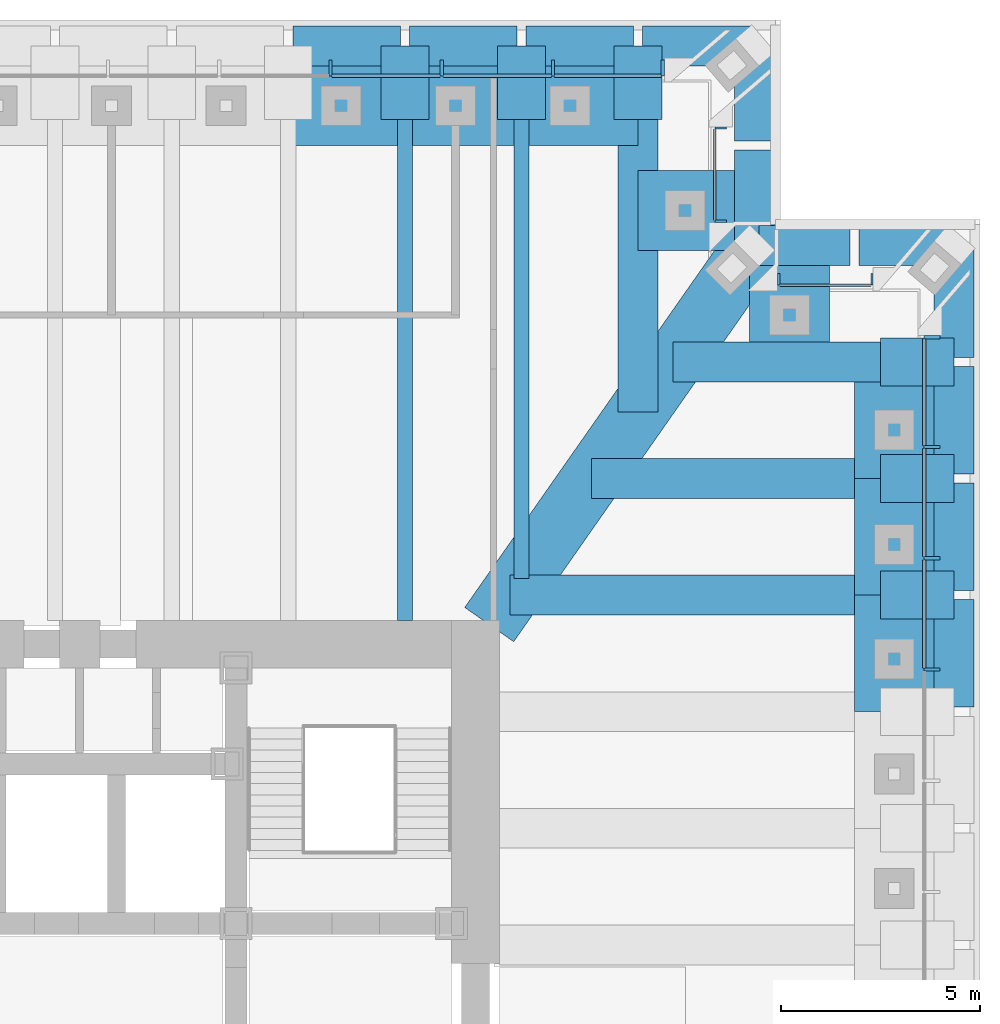
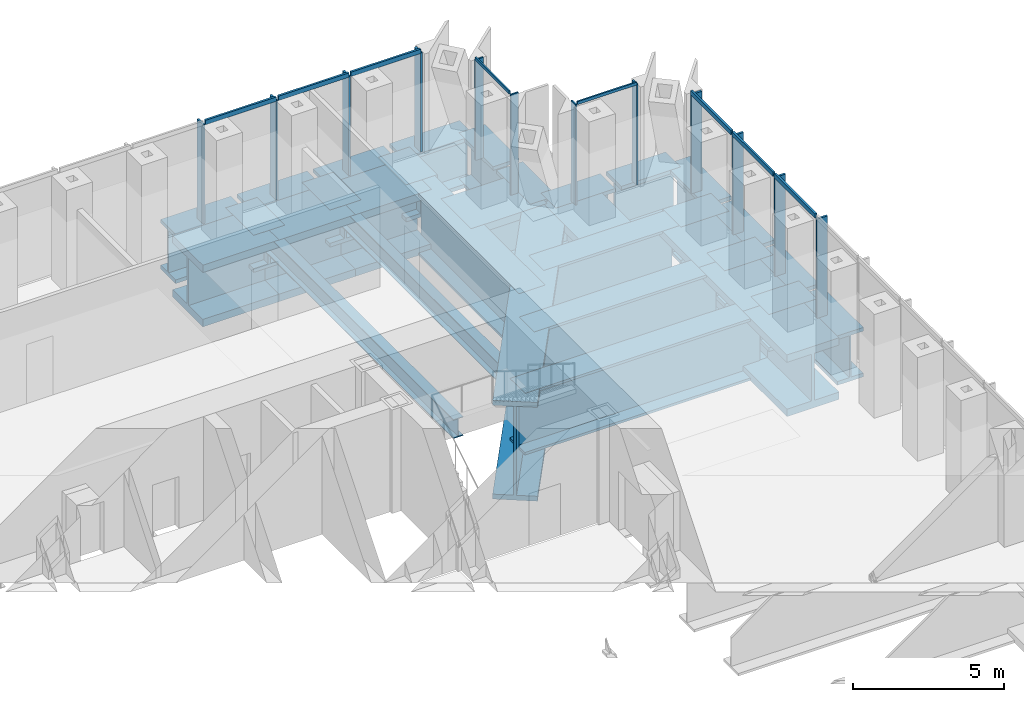
# One storey, part 6 of 13: 33 beams, 20 members, 4 elements without a shape of their own.
"""IFC4 building model written with IfcOpenShell, lengths in metres."""

from ifc_helpers import new_model, si_unit, direction, frame, origin, origin_2d, place, context, subcontext, project, spatial, rectangle, i_section, extrude, material, material_profile, profile_set, type_object, element, aggregate, save


model = new_model("IFC4")

# Units and contexts
model_context = context("Model", 3, precision=1e-05, world=origin(), true_north=direction((0.0, 1.0)))
body_context = subcontext(model_context, "Body", "Model", "MODEL_VIEW")
ifc_project = project(units=[si_unit("LENGTHUNIT", "METRE"), si_unit("AREAUNIT", "SQUARE_METRE"), si_unit("VOLUMEUNIT", "CUBIC_METRE"), si_unit("PLANEANGLEUNIT", "RADIAN"), si_unit("MASSUNIT", "GRAM", prefix="KILO")], contexts=[model_context])

# Site, building, storey
site_placement = place(None, origin())
site = spatial("IfcSite", under=ifc_project, at=site_placement, CompositionType="ELEMENT")
building_placement = place(site_placement, origin())
building = spatial("IfcBuilding", under=site, at=building_placement, Name="Daluyong Arena Tower", CompositionType="ELEMENT")
storey_placement = place(building_placement, frame((0.0, 0.0, 108.10009765625)))
storey = spatial("IfcBuildingStorey", under=building, at=storey_placement, Name="L23", CompositionType="ELEMENT", Elevation=108.10009765625)

# Curtain wall, members
ifc_material_1 = material(Name="Bronze anodised aluminium and glass", Category="aluminium")
curtain_wall_type_1 = type_object("IfcCurtainWallType", Name="Curtain wall CW2", PredefinedType="USERDEFINED", material=ifc_material_1)
curtain_wall_1_placement = place(storey_placement, origin())
curtain_wall_1 = element("IfcCurtainWall", 1, at=curtain_wall_1_placement, inside=storey, type_object=curtain_wall_type_1, Name="curtain wall L23 E", ObjectType="UNITISED CURTAIN WALL", PredefinedType="USERDEFINED")
ifc_material_2 = material(Name="Bronze anodised aluminium fin", Category="aluminium")
ifc_material_profile_1 = material_profile(ifc_material_2, rectangle(XDim=0.39990234375, YDim=0.080078125, at=origin_2d()))
ifc_profile_set_1 = profile_set([ifc_material_profile_1], Name="Bronze anodised aluminium fin")
member_type_1 = type_object("IfcMemberType", Name="CW2 bronze fin 400x80", PredefinedType="MULLION", material=ifc_profile_set_1)
member_1_placement = place(storey_placement, frame((79.449951171875, 88.3671875, 0.0), z_axis=(0.0, 0.0, 1.0), x_axis=(-1.0, 0.0, 0.0)))
member_1 = element("IfcMember", 2, at=member_1_placement, type_object=member_type_1, Name="curtain wall L23 E fin 10", PredefinedType="MULLION", context=body_context, shape_type="SweptSolid", body=[
    extrude(rectangle(XDim=0.39990234375, YDim=0.080078125, at=origin_2d()), origin(), (0.0, 0.0, 1.0), 4.02001953125),
])
member_2_placement = place(storey_placement, frame((79.449951171875, 91.15625, 0.0), z_axis=(0.0, 0.0, 1.0), x_axis=(-1.0, 0.0, 0.0)))
member_2 = element("IfcMember", 3, at=member_2_placement, type_object=member_type_1, Name="curtain wall L23 E fin 11", PredefinedType="MULLION", context=body_context, shape_type="SweptSolid", body=[
    extrude(rectangle(XDim=0.39990234375, YDim=0.080078125, at=origin_2d()), origin(), (0.0, 0.0, 1.0), 4.02001953125),
])
member_3_placement = place(storey_placement, frame((79.449951171875, 93.9453125, 0.0), z_axis=(0.0, 0.0, 1.0), x_axis=(-1.0, 0.0, 0.0)))
member_3 = element("IfcMember", 4, at=member_3_placement, type_object=member_type_1, Name="curtain wall L23 E fin 12", PredefinedType="MULLION", context=body_context, shape_type="SweptSolid", body=[
    extrude(rectangle(XDim=0.39990234375, YDim=0.080078125, at=origin_2d()), origin(), (0.0, 0.0, 1.0), 4.02001953125),
])
member_4_placement = place(storey_placement, frame((79.449951171875, 96.694580078125, 0.0), z_axis=(0.0, 0.0, 1.0), x_axis=(-1.0, 0.0, 0.0)))
member_4 = element("IfcMember", 5, at=member_4_placement, type_object=member_type_1, Name="curtain wall L23 E fin 13", PredefinedType="MULLION", context=body_context, shape_type="SweptSolid", body=[
    extrude(rectangle(XDim=0.39990234375, YDim=0.080078125, at=origin_2d()), origin(), (0.0, 0.0, 1.0), 4.02001953125),
])

curtain_wall_2_placement = place(storey_placement, origin())
curtain_wall_2 = element("IfcCurtainWall", 6, at=curtain_wall_2_placement, inside=storey, type_object=curtain_wall_type_1, Name="curtain wall L23 N", ObjectType="UNITISED CURTAIN WALL", PredefinedType="USERDEFINED")
member_5_placement = place(storey_placement, frame((72.694580078125, 103.449951171875, 0.0), z_axis=(0.0, 0.0, 1.0), x_axis=(0.0, -1.0, 0.0)))
member_5 = element("IfcMember", 7, at=member_5_placement, type_object=member_type_1, Name="curtain wall L23 N fin 1", PredefinedType="MULLION", context=body_context, shape_type="SweptSolid", body=[
    extrude(rectangle(XDim=0.39990234375, YDim=0.080078125, at=origin_2d()), origin(), (0.0, 0.0, 1.0), 4.02001953125),
])
member_6_placement = place(storey_placement, frame((69.9453125, 103.449951171875, 0.0), z_axis=(0.0, 0.0, 1.0), x_axis=(0.0, -1.0, 0.0)))
member_6 = element("IfcMember", 8, at=member_6_placement, type_object=member_type_1, Name="curtain wall L23 N fin 2", PredefinedType="MULLION", context=body_context, shape_type="SweptSolid", body=[
    extrude(rectangle(XDim=0.39990234375, YDim=0.080078125, at=origin_2d()), origin(), (0.0, 0.0, 1.0), 4.02001953125),
])
member_7_placement = place(storey_placement, frame((67.15625, 103.449951171875, 0.0), z_axis=(0.0, 0.0, 1.0), x_axis=(0.0, -1.0, 0.0)))
member_7 = element("IfcMember", 9, at=member_7_placement, type_object=member_type_1, Name="curtain wall L23 N fin 3", PredefinedType="MULLION", context=body_context, shape_type="SweptSolid", body=[
    extrude(rectangle(XDim=0.39990234375, YDim=0.080078125, at=origin_2d()), origin(), (0.0, 0.0, 1.0), 4.02001953125),
])
member_8_placement = place(storey_placement, frame((64.3671875, 103.449951171875, 0.0), z_axis=(0.0, 0.0, 1.0), x_axis=(0.0, -1.0, 0.0)))
member_8 = element("IfcMember", 10, at=member_8_placement, type_object=member_type_1, Name="curtain wall L23 N fin 4", PredefinedType="MULLION", context=body_context, shape_type="SweptSolid", body=[
    extrude(rectangle(XDim=0.39990234375, YDim=0.080078125, at=origin_2d()), origin(), (0.0, 0.0, 1.0), 4.02001953125),
])

# Member
ifc_material_3 = material(Name="Bronze anodised aluminium", Category="aluminium")
ifc_material_profile_2 = material_profile(ifc_material_3, rectangle(XDim=0.080078125, YDim=0.179931640625, at=origin_2d()))
ifc_profile_set_2 = profile_set([ifc_material_profile_2], Name="Bronze anodised aluminium")
member_type_2 = type_object("IfcMemberType", Name="CW2 stack transom 180x80", PredefinedType="USERDEFINED", material=ifc_profile_set_2)
member_9_placement = place(storey_placement, frame((79.25, 88.4072265625, 4.10986328125), z_axis=(0.0, 1.0, 0.0), x_axis=(-1.0, 0.0, 0.0)))
member_9 = element("IfcMember", 11, at=member_9_placement, type_object=member_type_2, Name="curtain wall L23 E transom 10", ObjectType="TRANSOM", PredefinedType="USERDEFINED", context=body_context, shape_type="SweptSolid", body=[
    extrude(rectangle(XDim=0.080078125, YDim=0.179931640625, at=origin_2d()), origin(), (0.0, 0.0, 1.0), 2.709228515625),
])

member_10_placement = place(storey_placement, frame((79.25, 91.1962890625, 4.10986328125), z_axis=(0.0, 1.0, 0.0), x_axis=(-1.0, 0.0, 0.0)))
member_10 = element("IfcMember", 12, at=member_10_placement, type_object=member_type_2, Name="curtain wall L23 E transom 11", ObjectType="TRANSOM", PredefinedType="USERDEFINED", context=body_context, shape_type="SweptSolid", body=[
    extrude(rectangle(XDim=0.080078125, YDim=0.179931640625, at=origin_2d()), origin(), (0.0, 0.0, 1.0), 2.709228515625),
])

member_11_placement = place(storey_placement, frame((79.25, 93.9853515625, 4.10986328125), z_axis=(0.0, 1.0, 0.0), x_axis=(-1.0, 0.0, 0.0)))
member_11 = element("IfcMember", 13, at=member_11_placement, type_object=member_type_2, Name="curtain wall L23 E transom 12", ObjectType="TRANSOM", PredefinedType="USERDEFINED", context=body_context, shape_type="SweptSolid", body=[
    extrude(rectangle(XDim=0.080078125, YDim=0.179931640625, at=origin_2d()), origin(), (0.0, 0.0, 1.0), 2.669189453125),
])

aggregate(curtain_wall_1, [member_1, member_2, member_3, member_4, member_9, member_10, member_11])

member_12_placement = place(storey_placement, frame((72.654541015625, 103.25, 4.10986328125), z_axis=(-1.0, 0.0, 0.0), x_axis=(0.0, -1.0, 0.0)))
member_12 = element("IfcMember", 14, at=member_12_placement, type_object=member_type_2, Name="curtain wall L23 N transom 1", ObjectType="TRANSOM", PredefinedType="USERDEFINED", context=body_context, shape_type="SweptSolid", body=[
    extrude(rectangle(XDim=0.080078125, YDim=0.179931640625, at=origin_2d()), origin(), (0.0, 0.0, 1.0), 2.669189453125),
])

member_13_placement = place(storey_placement, frame((69.905517578125, 103.25, 4.10986328125), z_axis=(-1.0, 0.0, 0.0), x_axis=(0.0, -1.0, 0.0)))
member_13 = element("IfcMember", 15, at=member_13_placement, type_object=member_type_2, Name="curtain wall L23 N transom 2", ObjectType="TRANSOM", PredefinedType="USERDEFINED", context=body_context, shape_type="SweptSolid", body=[
    extrude(rectangle(XDim=0.080078125, YDim=0.179931640625, at=origin_2d()), origin(), (0.0, 0.0, 1.0), 2.709228515625),
])

member_14_placement = place(storey_placement, frame((67.116455078125, 103.25, 4.10986328125), z_axis=(-1.0, 0.0, 0.0), x_axis=(0.0, -1.0, 0.0)))
member_14 = element("IfcMember", 16, at=member_14_placement, type_object=member_type_2, Name="curtain wall L23 N transom 3", ObjectType="TRANSOM", PredefinedType="USERDEFINED", context=body_context, shape_type="SweptSolid", body=[
    extrude(rectangle(XDim=0.080078125, YDim=0.179931640625, at=origin_2d()), origin(), (0.0, 0.0, 1.0), 2.709228515625),
])

aggregate(curtain_wall_2, [member_5, member_6, member_7, member_8, member_12, member_13, member_14])

# Curtain wall, members
ifc_material_4 = material(Name="Bronze anodised aluminium and glass", Category="aluminium")
curtain_wall_type_2 = type_object("IfcCurtainWallType", Name="Curtain wall CW7", PredefinedType="USERDEFINED", material=ifc_material_4)
curtain_wall_3_placement = place(storey_placement, origin())
curtain_wall_3 = element("IfcCurtainWall", 17, at=curtain_wall_3_placement, inside=storey, type_object=curtain_wall_type_2, Name="curtain wall L23 NE-N", ObjectType="UNITISED CURTAIN WALL", PredefinedType="USERDEFINED")
ifc_material_5 = material(Name="Bronze anodised aluminium fin", Category="aluminium")
ifc_material_profile_3 = material_profile(ifc_material_5, rectangle(XDim=0.300048828125, YDim=0.06005859375, at=origin_2d()))
ifc_profile_set_3 = profile_set([ifc_material_profile_3], Name="Bronze anodised aluminium fin")
member_type_3 = type_object("IfcMemberType", Name="CW7 bronze fin 300x60", PredefinedType="MULLION", material=ifc_profile_set_3)
member_15_placement = place(storey_placement, frame((77.94091796875, 98.14990234375, 0.0), z_axis=(0.0, 0.0, 1.0), x_axis=(0.0, -1.0, 0.0)))
member_15 = element("IfcMember", 18, at=member_15_placement, type_object=member_type_3, Name="curtain wall L23 NE-N fin 1", PredefinedType="MULLION", context=body_context, shape_type="SweptSolid", body=[
    extrude(rectangle(XDim=0.300048828125, YDim=0.06005859375, at=origin_2d()), origin(), (0.0, 0.0, 1.0), 4.079833984375),
])
member_16_placement = place(storey_placement, frame((75.60205078125, 98.14990234375, 0.0), z_axis=(0.0, 0.0, 1.0), x_axis=(0.0, -1.0, 0.0)))
member_16 = element("IfcMember", 19, at=member_16_placement, type_object=member_type_3, Name="curtain wall L23 NE-N fin 2", PredefinedType="MULLION", context=body_context, shape_type="SweptSolid", body=[
    extrude(rectangle(XDim=0.300048828125, YDim=0.06005859375, at=origin_2d()), origin(), (0.0, 0.0, 1.0), 4.079833984375),
])

curtain_wall_4_placement = place(storey_placement, origin())
curtain_wall_4 = element("IfcCurtainWall", 20, at=curtain_wall_4_placement, inside=storey, type_object=curtain_wall_type_2, Name="curtain wall L23 NE-E", ObjectType="UNITISED CURTAIN WALL", PredefinedType="USERDEFINED")
member_17_placement = place(storey_placement, frame((74.14990234375, 99.60205078125, 0.0), z_axis=(0.0, 0.0, 1.0), x_axis=(-1.0, 0.0, 0.0)))
member_17 = element("IfcMember", 21, at=member_17_placement, type_object=member_type_3, Name="curtain wall L23 NE-E fin 1", PredefinedType="MULLION", context=body_context, shape_type="SweptSolid", body=[
    extrude(rectangle(XDim=0.300048828125, YDim=0.06005859375, at=origin_2d()), origin(), (0.0, 0.0, 1.0), 4.079833984375),
])
member_18_placement = place(storey_placement, frame((74.14990234375, 101.94091796875, 0.0), z_axis=(0.0, 0.0, 1.0), x_axis=(-1.0, 0.0, 0.0)))
member_18 = element("IfcMember", 22, at=member_18_placement, type_object=member_type_3, Name="curtain wall L23 NE-E fin 2", PredefinedType="MULLION", context=body_context, shape_type="SweptSolid", body=[
    extrude(rectangle(XDim=0.300048828125, YDim=0.06005859375, at=origin_2d()), origin(), (0.0, 0.0, 1.0), 4.079833984375),
])

# Member
ifc_material_6 = material(Name="Bronze anodised aluminium", Category="aluminium")
ifc_material_profile_4 = material_profile(ifc_material_6, rectangle(XDim=0.06005859375, YDim=0.1201171875, at=origin_2d()))
ifc_profile_set_4 = profile_set([ifc_material_profile_4], Name="Bronze anodised aluminium")
member_type_4 = type_object("IfcMemberType", Name="CW7 stack transom 120x60", PredefinedType="USERDEFINED", material=ifc_profile_set_4)
member_19_placement = place(storey_placement, frame((77.910888671875, 98.0, 4.139892578125), z_axis=(-1.0, 0.0, 0.0), x_axis=(0.0, -1.0, 0.0)))
member_19 = element("IfcMember", 23, at=member_19_placement, type_object=member_type_4, Name="curtain wall L23 NE-N transom 1", ObjectType="TRANSOM", PredefinedType="USERDEFINED", context=body_context, shape_type="SweptSolid", body=[
    extrude(rectangle(XDim=0.06005859375, YDim=0.1201171875, at=origin_2d()), origin(), (0.0, 0.0, 1.0), 2.27880859375),
])

aggregate(curtain_wall_3, [member_15, member_16, member_19])

member_20_placement = place(storey_placement, frame((74.0, 99.632080078125, 4.139892578125), z_axis=(0.0, 1.0, 0.0), x_axis=(-1.0, 0.0, 0.0)))
member_20 = element("IfcMember", 24, at=member_20_placement, type_object=member_type_4, Name="curtain wall L23 NE-E transom 1", ObjectType="TRANSOM", PredefinedType="USERDEFINED", context=body_context, shape_type="SweptSolid", body=[
    extrude(rectangle(XDim=0.06005859375, YDim=0.1201171875, at=origin_2d()), origin(), (0.0, 0.0, 1.0), 2.27880859375),
])

aggregate(curtain_wall_4, [member_17, member_18, member_20])

# Beams
ifc_material_7 = material(Name="Steel ASTM A572 Grade 50", Category="steel")
ifc_material_profile_5 = material_profile(ifc_material_7, i_section(OverallWidth=1.0, OverallDepth=2.5, WebThickness=0.05, FlangeThickness=0.1, at=origin_2d()))
ifc_profile_set_5 = profile_set([ifc_material_profile_5], Name="Steel ASTM A572 Grade 50")
beam_type_1 = type_object("IfcBeamType", Name="Floor beam PG2500X1000", PredefinedType="BEAM", material=ifc_profile_set_5)
beam_1_placement = place(storey_placement, frame((78.14990234375, 90.230712890625, -1.5), z_axis=(-1.0, 0.0, 0.0), x_axis=(0.0, -1.0, 0.0)))
element("IfcBeam", 25, at=beam_1_placement, inside=storey, type_object=beam_type_1, Name="floor beam FB6", PredefinedType="BEAM", context=body_context, shape_type="SweptSolid", body=[
    extrude(i_section(OverallWidth=1.0, OverallDepth=2.5, WebThickness=0.05, FlangeThickness=0.1, at=origin_2d()), origin(), (0.0, 0.0, 1.0), 9.288330078125),
])
beam_2_placement = place(storey_placement, frame((78.14990234375, 93.15380859375, -1.5), z_axis=(-1.0, 0.0, 0.0), x_axis=(0.0, -1.0, 0.0)))
element("IfcBeam", 26, at=beam_2_placement, inside=storey, type_object=beam_type_1, Name="floor beam FB6", PredefinedType="BEAM", context=body_context, shape_type="SweptSolid", body=[
    extrude(i_section(OverallWidth=1.0, OverallDepth=2.5, WebThickness=0.05, FlangeThickness=0.1, at=origin_2d()), origin(), (0.0, 0.0, 1.0), 7.2421875),
])
beam_3_placement = place(storey_placement, frame((78.14990234375, 96.076904296875, -1.5), z_axis=(-1.0, 0.0, 0.0), x_axis=(0.0, -1.0, 0.0)))
element("IfcBeam", 27, at=beam_3_placement, inside=storey, type_object=beam_type_1, Name="floor beam FB6", PredefinedType="BEAM", context=body_context, shape_type="SweptSolid", body=[
    extrude(i_section(OverallWidth=1.0, OverallDepth=2.5, WebThickness=0.05, FlangeThickness=0.1, at=origin_2d()), origin(), (0.0, 0.0, 1.0), 5.196044921875),
])
beam_4_placement = place(storey_placement, frame((72.076904296875, 102.14990234375, -1.5), z_axis=(0.0, -1.0, 0.0), x_axis=(1.0, 0.0, 0.0)))
element("IfcBeam", 28, at=beam_4_placement, inside=storey, type_object=beam_type_1, Name="floor beam FB6", PredefinedType="BEAM", context=body_context, shape_type="SweptSolid", body=[
    extrude(i_section(OverallWidth=1.0, OverallDepth=2.5, WebThickness=0.05, FlangeThickness=0.1, at=origin_2d()), origin(), (0.0, 0.0, 1.0), 7.32568359375),
])
ifc_material_8 = material(Name="Steel ASTM A992 Grade 50", Category="steel")
ifc_material_profile_6 = material_profile(ifc_material_8, i_section(OverallWidth=0.381103515625, OverallDepth=0.772216796875, WebThickness=0.0166015625, FlangeThickness=0.027099609375, at=origin_2d()))
ifc_profile_set_6 = profile_set([ifc_material_profile_6], Name="Steel ASTM A992 Grade 50")
beam_type_2 = type_object("IfcBeamType", Name="Floor beam W30X173", PredefinedType="BEAM", material=ifc_profile_set_6)
beam_5_placement = place(storey_placement, frame((69.15380859375, 102.14990234375, -0.63623046875), z_axis=(0.0, -1.0, 0.0), x_axis=(1.0, 0.0, 0.0)))
element("IfcBeam", 29, at=beam_5_placement, inside=storey, type_object=beam_type_2, Name="floor beam FB2", PredefinedType="BEAM", context=body_context, shape_type="SweptSolid", body=[
    extrude(i_section(OverallWidth=0.381103515625, OverallDepth=0.772216796875, WebThickness=0.0166015625, FlangeThickness=0.027099609375, at=origin_2d()), origin(), (0.0, 0.0, 1.0), 11.50146484375),
])
beam_6_placement = place(storey_placement, frame((66.230712890625, 102.14990234375, -0.63623046875), z_axis=(0.0, -1.0, 0.0), x_axis=(1.0, 0.0, 0.0)))
element("IfcBeam", 30, at=beam_6_placement, inside=storey, type_object=beam_type_2, Name="floor beam FB2", PredefinedType="BEAM", context=body_context, shape_type="SweptSolid", body=[
    extrude(i_section(OverallWidth=0.381103515625, OverallDepth=0.772216796875, WebThickness=0.0166015625, FlangeThickness=0.027099609375, at=origin_2d()), origin(), (0.0, 0.0, 1.0), 12.5498046875),
])
ifc_material_9 = material(Name="Steel ASTM A588 Grade 50", Category="steel")
ifc_material_profile_7 = material_profile(ifc_material_9, i_section(OverallWidth=1.0, OverallDepth=2.0, WebThickness=0.06, FlangeThickness=0.15, at=origin_2d()))
ifc_profile_set_7 = profile_set([ifc_material_profile_7], Name="Steel ASTM A588 Grade 50")
beam_type_3 = type_object("IfcBeamType", Name="Spandrel Z1 PG2000X1000", PredefinedType="SPANDREL", material=ifc_profile_set_7)
for number, where, z_axis, x_axis, name in (
    (31, (80.0, 87.422607421875, -1.25), (0.0, 1.0, 0.0), (-1.0, 0.0, 0.0), "spandrel z1 SB2"),
    (32, (80.0, 90.345703125, -1.25), (0.0, 1.0, 0.0), (-1.0, 0.0, 0.0), "spandrel z1 SB2"),
    (33, (80.0, 93.268798828125, -1.25), (0.0, 1.0, 0.0), (-1.0, 0.0, 0.0), "spandrel z1 SB2"),
    (34, (80.0, 96.19189453125, -1.25), (0.0, 1.0, 0.0), (-1.0, 0.0, 0.0), "spandrel z1 SB2"),
):
    element("IfcBeam", number, at=place(storey_placement, frame(where, z_axis=z_axis, x_axis=x_axis)), inside=storey, type_object=beam_type_3, Name=name, PredefinedType="SPANDREL", context=body_context, shape_type="SweptSolid", body=[
        extrude(i_section(OverallWidth=1.0, OverallDepth=2.0, WebThickness=0.06, FlangeThickness=0.15, at=origin_2d()), origin(), (0.0, 0.0, 1.0), 2.693115234375),
    ])
for number, where, z_axis, x_axis, name in (
    (35, (79.885009765625, 99.0, -1.25), (-1.0, 0.0, 0.0), (0.0, -1.0, 0.0), "spandrel z1 SB2"),
    (36, (77.385009765625, 99.0, -1.25), (-1.0, 0.0, 0.0), (0.0, -1.0, 0.0), "spandrel z1 SB2"),
    (37, (75.0, 99.114990234375, -1.25), (0.0, 1.0, 0.0), (-1.0, 0.0, 0.0), "spandrel z1 SB2"),
    (38, (75.0, 101.614990234375, -1.25), (0.0, 1.0, 0.0), (-1.0, 0.0, 0.0), "spandrel z1 SB2"),
):
    element("IfcBeam", number, at=place(storey_placement, frame(where, z_axis=z_axis, x_axis=x_axis)), inside=storey, type_object=beam_type_3, Name=name, PredefinedType="SPANDREL", context=body_context, shape_type="SweptSolid", body=[
        extrude(i_section(OverallWidth=1.0, OverallDepth=2.0, WebThickness=0.06, FlangeThickness=0.15, at=origin_2d()), origin(), (0.0, 0.0, 1.0), 2.27001953125),
    ])
for number, where, z_axis, x_axis, name in (
    (39, (74.885009765625, 104.0, -1.25), (-1.0, 0.0, 0.0), (0.0, -1.0, 0.0), "spandrel z1 SB2"),
    (40, (71.9619140625, 104.0, -1.25), (-1.0, 0.0, 0.0), (0.0, -1.0, 0.0), "spandrel z1 SB2"),
    (41, (69.038818359375, 104.0, -1.25), (-1.0, 0.0, 0.0), (0.0, -1.0, 0.0), "spandrel z1 SB2"),
    (42, (66.11572265625, 104.0, -1.25), (-1.0, 0.0, 0.0), (0.0, -1.0, 0.0), "spandrel z1 SB2"),
):
    element("IfcBeam", number, at=place(storey_placement, frame(where, z_axis=z_axis, x_axis=x_axis)), inside=storey, type_object=beam_type_3, Name=name, PredefinedType="SPANDREL", context=body_context, shape_type="SweptSolid", body=[
        extrude(i_section(OverallWidth=1.0, OverallDepth=2.0, WebThickness=0.06, FlangeThickness=0.15, at=origin_2d()), origin(), (0.0, 0.0, 1.0), 2.693115234375),
    ])
ifc_material_10 = material(Name="Steel ASTM A588 Grade 50", Category="steel")
ifc_material_profile_8 = material_profile(ifc_material_10, i_section(OverallWidth=1.199951171875, OverallDepth=1.5, WebThickness=0.08, FlangeThickness=0.15, at=origin_2d()))
ifc_profile_set_8 = profile_set([ifc_material_profile_8], Name="Steel ASTM A588 Grade 50")
beam_type_4 = type_object("IfcBeamType", Name="Transfer beam PG1500X1200", PredefinedType="BEAM", material=ifc_profile_set_8)
for number, where, z_axis, x_axis, name in (
    (43, (80.0, 90.230712890625, -1.0), (-1.0, 0.0, 0.0), (0.0, -1.0, 0.0), "transfer beam TR4"),
    (44, (80.0, 93.15380859375, -1.0), (-1.0, 0.0, 0.0), (0.0, -1.0, 0.0), "transfer beam TR4"),
    (45, (80.0, 96.076904296875, -1.0), (-1.0, 0.0, 0.0), (0.0, -1.0, 0.0), "transfer beam TR4"),
    (46, (72.076904296875, 104.0, -1.0), (0.0, -1.0, 0.0), (1.0, 0.0, 0.0), "transfer beam TR4"),
    (47, (69.15380859375, 104.0, -1.0), (0.0, -1.0, 0.0), (1.0, 0.0, 0.0), "transfer beam TR4"),
    (48, (66.230712890625, 104.0, -1.0), (0.0, -1.0, 0.0), (1.0, 0.0, 0.0), "transfer beam TR4"),
):
    element("IfcBeam", number, at=place(storey_placement, frame(where, z_axis=z_axis, x_axis=x_axis)), inside=storey, type_object=beam_type_4, Name=name, PredefinedType="BEAM", context=body_context, shape_type="SweptSolid", body=[
        extrude(i_section(OverallWidth=1.199951171875, OverallDepth=1.5, WebThickness=0.08, FlangeThickness=0.15, at=origin_2d()), origin(), (0.0, 0.0, 1.0), 1.85009765625),
    ])
ifc_material_11 = material(Name="Steel ASTM A36", Category="steel")
ifc_material_profile_9 = material_profile(ifc_material_11, i_section(OverallWidth=2.0, OverallDepth=2.5, WebThickness=0.12, FlangeThickness=0.3, at=origin_2d()))
ifc_profile_set_9 = profile_set([ifc_material_profile_9], Name="Steel ASTM A36")
beam_type_5 = type_object("IfcBeamType", Name="Transfer beam PG2500X2000", PredefinedType="BEAM", material=ifc_profile_set_9)
for number, where, z_axis, x_axis, name in (
    (49, (72.076904296875, 99.875, -1.5), (1.0, 0.0, 0.0), (0.0, 1.0, 0.0), "transfer beam TR3"),
    (50, (63.3076171875, 102.5, -1.5), (1.0, 0.0, 0.0), (0.0, 1.0, 0.0), "transfer beam TR3"),
    (51, (66.230712890625, 102.5, -1.5), (1.0, 0.0, 0.0), (0.0, 1.0, 0.0), "transfer beam TR3"),
    (52, (69.15380859375, 102.5, -1.5), (1.0, 0.0, 0.0), (0.0, 1.0, 0.0), "transfer beam TR3"),
    (53, (75.875, 96.076904296875, -1.5), (0.0, 1.0, 0.0), (-1.0, 0.0, 0.0), "transfer beam TR3"),
    (54, (78.5, 87.3076171875, -1.5), (0.0, 1.0, 0.0), (-1.0, 0.0, 0.0), "transfer beam TR3"),
    (55, (78.5, 90.230712890625, -1.5), (0.0, 1.0, 0.0), (-1.0, 0.0, 0.0), "transfer beam TR3"),
    (56, (78.5, 93.15380859375, -1.5), (0.0, 1.0, 0.0), (-1.0, 0.0, 0.0), "transfer beam TR3"),
):
    element("IfcBeam", number, at=place(storey_placement, frame(where, z_axis=z_axis, x_axis=x_axis)), inside=storey, type_object=beam_type_5, Name=name, PredefinedType="BEAM", context=body_context, shape_type="SweptSolid", body=[
        extrude(i_section(OverallWidth=2.0, OverallDepth=2.5, WebThickness=0.12, FlangeThickness=0.3, at=origin_2d()), origin(), (0.0, 0.0, 1.0), 2.923095703125),
    ])
ifc_material_12 = material(Name="Steel ASTM A588 Grade 50", Category="steel")
ifc_material_profile_10 = material_profile(ifc_material_12, i_section(OverallWidth=1.5, OverallDepth=4.0, WebThickness=0.1, FlangeThickness=0.2, at=origin_2d()))
ifc_profile_set_10 = profile_set([ifc_material_profile_10], Name="Steel ASTM A588 Grade 50")
beam_type_6 = type_object("IfcBeamType", Name="Transfer beam PG4000X1500", PredefinedType="BEAM", material=ifc_profile_set_10)
beam_7_placement = place(storey_placement, frame((75.0, 99.0, -2.25), z_axis=(-0.573463756074, -0.81923093232, 0.0), x_axis=(0.81923093232, -0.573463756074, 0.0)))
element("IfcBeam", 57, at=beam_7_placement, inside=storey, type_object=beam_type_6, Name="transfer beam TR1", PredefinedType="BEAM", context=body_context, shape_type="SweptSolid", body=[
    extrude(i_section(OverallWidth=1.5, OverallDepth=4.0, WebThickness=0.1, FlangeThickness=0.2, at=origin_2d()), origin(), (0.0, 0.0, 1.0), 11.606689453125),
])

save(model, "model.ifc")
